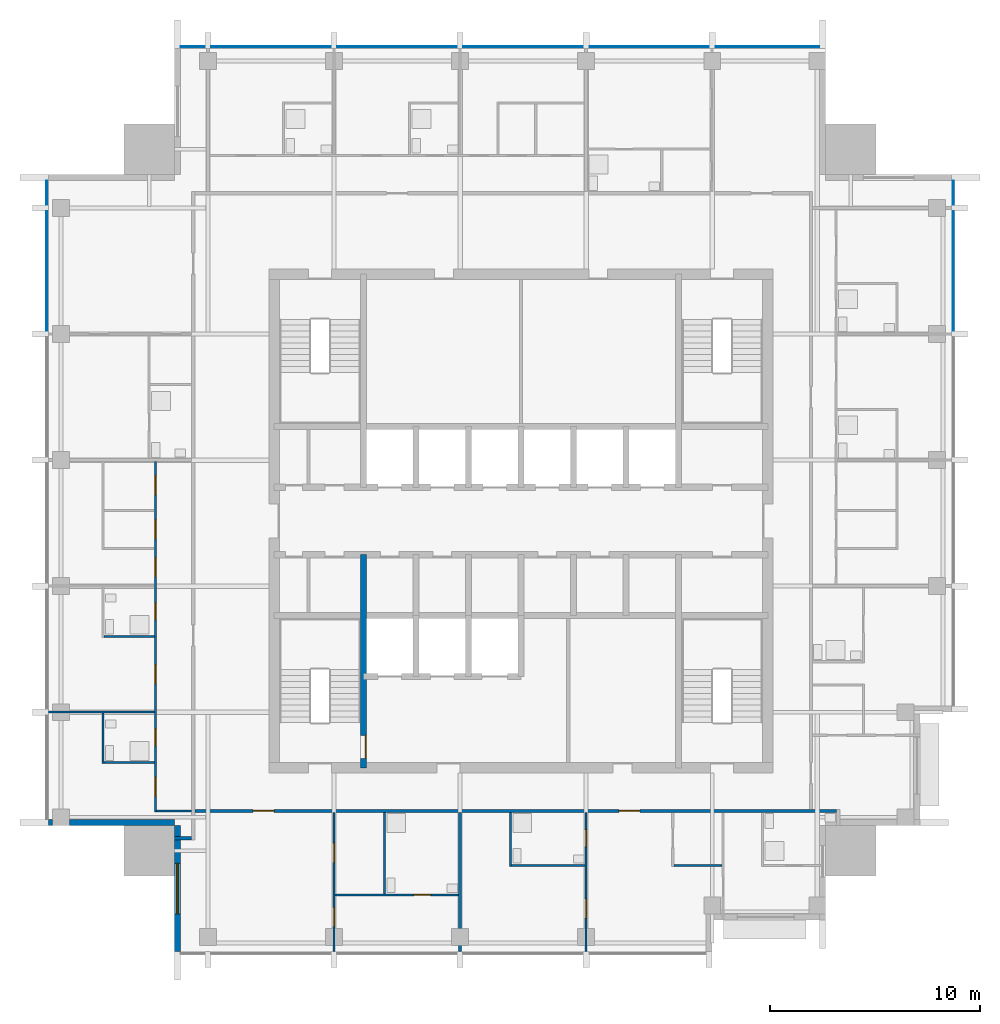
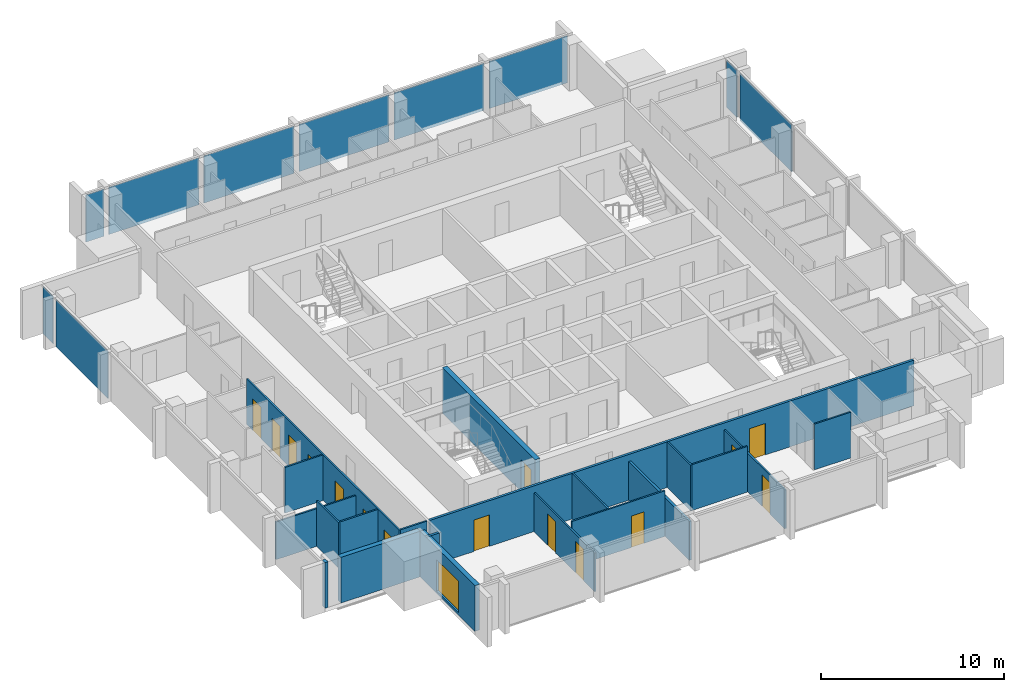
# One storey, part 3 of 10: 20 walls, 15 doors, 10 plates, 1 window, 16 openings, 3 elements without a shape of their own.
"""IFC4 building model written with IfcOpenShell, lengths in metres."""

from ifc_helpers import new_model, si_unit, direction, frame, frame_2d, origin, origin_2d, place, context, subcontext, project, spatial, rectangle, extrude, material, layer, layer_set, type_object, element, fill, aggregate, save


model = new_model("IFC4")

# Units and contexts
model_context = context("Model", 3, precision=1e-05, world=origin(), true_north=direction((0.0, 1.0)))
body_context = subcontext(model_context, "Body", "Model", "MODEL_VIEW")
ifc_project = project(units=[si_unit("LENGTHUNIT", "METRE"), si_unit("AREAUNIT", "SQUARE_METRE"), si_unit("VOLUMEUNIT", "CUBIC_METRE"), si_unit("PLANEANGLEUNIT", "RADIAN"), si_unit("MASSUNIT", "GRAM", prefix="KILO")], contexts=[model_context])

# Site, building, storey
site_placement = place(None, origin())
site = spatial("IfcSite", under=ifc_project, at=site_placement, CompositionType="ELEMENT")
building_placement = place(site_placement, origin())
building = spatial("IfcBuilding", under=site, at=building_placement, Name="Amberfall Residences", CompositionType="ELEMENT")
storey_placement = place(building_placement, frame((0.0, 0.0, 275.199951171875)))
storey = spatial("IfcBuildingStorey", under=building, at=storey_placement, Name="L74", CompositionType="ELEMENT", Elevation=275.199951171875)

# Curtain wall, plates
ifc_material_1 = material(Name="Bronze anodised aluminium and glass", Category="aluminium")
curtain_wall_type = type_object("IfcCurtainWallType", Name="Curtain wall CW1 tower unit", PredefinedType="USERDEFINED", material=ifc_material_1)
curtain_wall_1_placement = place(storey_placement, origin())
curtain_wall_1 = element("IfcCurtainWall", 1, at=curtain_wall_1_placement, inside=storey, type_object=curtain_wall_type, Name="Curtain wall L74 E E3", ObjectType="UNITISED CURTAIN WALL", PredefinedType="USERDEFINED")
ifc_material_2 = material(Name="Tinted double glazed unit", Category="glass")
ifc_layer_1 = layer(ifc_material_2, 0.035888671875)
ifc_layer_set_1 = layer_set([ifc_layer_1], Name="CW1 panel 36 glazing")
plate_type = type_object("IfcPlateType", Name="CW1 panel 36 glazing", PredefinedType="CURTAIN_PANEL", material=ifc_layer_set_1)
plate_1_placement = place(storey_placement, frame((95.074951171875, 57.39990234375, -0.25), z_axis=(0.0, 0.0, 1.0), x_axis=(0.0, 1.0, 0.0)))
plate_1 = element("IfcPlate", 2, at=plate_1_placement, type_object=plate_type, Name="CW1 panel 4.1", PredefinedType="CURTAIN_PANEL", context=body_context, shape_type="SweptSolid", body=[
    extrude(rectangle(XDim=5.676025390625, YDim=0.035888671875, at=origin_2d()), origin(), (0.0, 0.0, 1.0), 3.14990234375),
])
plate_2_placement = place(storey_placement, frame((95.074951171875, 61.125, -0.25), z_axis=(0.0, 0.0, 1.0), x_axis=(0.0, 1.0, 0.0)))
plate_2 = element("IfcPlate", 3, at=plate_2_placement, type_object=plate_type, Name="CW1 panel 5.1", PredefinedType="CURTAIN_PANEL", context=body_context, shape_type="SweptSolid", body=[
    extrude(rectangle(XDim=1.1259765625, YDim=0.035888671875, at=origin_2d()), origin(), (0.0, 0.0, 1.0), 3.14990234375),
])
aggregate(curtain_wall_1, [plate_1, plate_2])

curtain_wall_2_placement = place(storey_placement, origin())
curtain_wall_2 = element("IfcCurtainWall", 4, at=curtain_wall_2_placement, inside=storey, type_object=curtain_wall_type, Name="Curtain wall L74 N N1", ObjectType="UNITISED CURTAIN WALL", PredefinedType="USERDEFINED")
plate_3_placement = place(storey_placement, frame((86.22509765625, 68.074951171875, -0.25), z_axis=(0.0, 0.0, 1.0), x_axis=(-1.0, 0.0, 0.0)))
plate_3 = element("IfcPlate", 5, at=plate_3_placement, type_object=plate_type, Name="CW1 panel 1.1", PredefinedType="CURTAIN_PANEL", context=body_context, shape_type="SweptSolid", body=[
    extrude(rectangle(XDim=4.926025390625, YDim=0.035888671875, at=origin_2d()), origin(), (0.0, 0.0, 1.0), 3.14990234375),
])
plate_4_placement = place(storey_placement, frame((80.60009765625, 68.074951171875, -0.25), z_axis=(0.0, 0.0, 1.0), x_axis=(-1.0, 0.0, 0.0)))
plate_4 = element("IfcPlate", 6, at=plate_4_placement, type_object=plate_type, Name="CW1 panel 2.1", PredefinedType="CURTAIN_PANEL", context=body_context, shape_type="SweptSolid", body=[
    extrude(rectangle(XDim=5.676025390625, YDim=0.035888671875, at=origin_2d()), origin(), (0.0, 0.0, 1.0), 3.14990234375),
])
plate_5_placement = place(storey_placement, frame((74.60009765625, 68.074951171875, -0.25), z_axis=(0.0, 0.0, 1.0), x_axis=(-1.0, 0.0, 0.0)))
plate_5 = element("IfcPlate", 7, at=plate_5_placement, type_object=plate_type, Name="CW1 panel 3.1", PredefinedType="CURTAIN_PANEL", context=body_context, shape_type="SweptSolid", body=[
    extrude(rectangle(XDim=5.676025390625, YDim=0.035888671875, at=origin_2d()), origin(), (0.0, 0.0, 1.0), 3.14990234375),
])
plate_6_placement = place(storey_placement, frame((68.60009765625, 68.074951171875, -0.25), z_axis=(0.0, 0.0, 1.0), x_axis=(-1.0, 0.0, 0.0)))
plate_6 = element("IfcPlate", 8, at=plate_6_placement, type_object=plate_type, Name="CW1 panel 4.1", PredefinedType="CURTAIN_PANEL", context=body_context, shape_type="SweptSolid", body=[
    extrude(rectangle(XDim=5.676025390625, YDim=0.035888671875, at=origin_2d()), origin(), (0.0, 0.0, 1.0), 3.14990234375),
])
plate_7_placement = place(storey_placement, frame((62.60009765625, 68.074951171875, -0.25), z_axis=(0.0, 0.0, 1.0), x_axis=(-1.0, 0.0, 0.0)))
plate_7 = element("IfcPlate", 9, at=plate_7_placement, type_object=plate_type, Name="CW1 panel 5.1", PredefinedType="CURTAIN_PANEL", context=body_context, shape_type="SweptSolid", body=[
    extrude(rectangle(XDim=5.676025390625, YDim=0.035888671875, at=origin_2d()), origin(), (0.0, 0.0, 1.0), 3.14990234375),
])
plate_8_placement = place(storey_placement, frame((58.875, 68.074951171875, -0.25), z_axis=(0.0, 0.0, 1.0), x_axis=(-1.0, 0.0, 0.0)))
plate_8 = element("IfcPlate", 10, at=plate_8_placement, type_object=plate_type, Name="CW1 panel 6.1", PredefinedType="CURTAIN_PANEL", context=body_context, shape_type="SweptSolid", body=[
    extrude(rectangle(XDim=1.1259765625, YDim=0.035888671875, at=origin_2d()), origin(), (0.0, 0.0, 1.0), 3.14990234375),
])
aggregate(curtain_wall_2, [plate_3, plate_4, plate_5, plate_6, plate_7, plate_8])

curtain_wall_3_placement = place(storey_placement, origin())
curtain_wall_3 = element("IfcCurtainWall", 11, at=curtain_wall_3_placement, inside=storey, type_object=curtain_wall_type, Name="Curtain wall L74 W W1", ObjectType="UNITISED CURTAIN WALL", PredefinedType="USERDEFINED")
plate_9_placement = place(storey_placement, frame((51.925048828125, 61.125, -0.25), z_axis=(0.0, 0.0, 1.0), x_axis=(0.0, -1.0, 0.0)))
plate_9 = element("IfcPlate", 12, at=plate_9_placement, type_object=plate_type, Name="CW1 panel 1.1", PredefinedType="CURTAIN_PANEL", context=body_context, shape_type="SweptSolid", body=[
    extrude(rectangle(XDim=1.1259765625, YDim=0.035888671875, at=origin_2d()), origin(), (0.0, 0.0, 1.0), 3.14990234375),
])
plate_10_placement = place(storey_placement, frame((51.925048828125, 57.39990234375, -0.25), z_axis=(0.0, 0.0, 1.0), x_axis=(0.0, -1.0, 0.0)))
plate_10 = element("IfcPlate", 13, at=plate_10_placement, type_object=plate_type, Name="CW1 panel 2.1", PredefinedType="CURTAIN_PANEL", context=body_context, shape_type="SweptSolid", body=[
    extrude(rectangle(XDim=5.676025390625, YDim=0.035888671875, at=origin_2d()), origin(), (0.0, 0.0, 1.0), 3.14990234375),
])
aggregate(curtain_wall_3, [plate_9, plate_10])

# Walls
ifc_material_3 = material(Name="Pale stone cladding on insulated backing", Category="masonry")
ifc_layer_2 = layer(ifc_material_3, 0.300048828125)
ifc_layer_set_2 = layer_set([ifc_layer_2], Name="Bronze clad wall 300")
wall_type_1 = type_object("IfcWallType", Name="Bronze clad wall 300", PredefinedType="SOLIDWALL", material=ifc_layer_set_2)
wall_1_placement = place(storey_placement, frame((52.0, 31.14990234375, 0.0), z_axis=(0.0, 0.0, 1.0), x_axis=(1.0, 0.0, 0.0)))
element("IfcWall", 14, at=wall_1_placement, inside=storey, type_object=wall_type_1, Name="External wall L74 SW", PredefinedType="SOLIDWALL", context=body_context, shape_type="SweptSolid", body=[
    extrude(rectangle(XDim=0.199951171875, YDim=0.300048828125, at=frame_2d((0.10009765625, 0.0))), origin(), (0.0, 0.0, 1.0), 3.050048828125),
])
wall_2_placement = place(storey_placement, frame((53.0, 31.14990234375, 0.0), z_axis=(0.0, 0.0, 1.0), x_axis=(1.0, 0.0, 0.0)))
element("IfcWall", 15, at=wall_2_placement, inside=storey, type_object=wall_type_1, Name="External wall L74 SW", PredefinedType="SOLIDWALL", context=body_context, shape_type="SweptSolid", body=[
    extrude(rectangle(XDim=5.0, YDim=0.300048828125, at=frame_2d((2.5, 0.0))), origin(), (0.0, 0.0, 1.0), 3.050048828125),
])

# Wall, opening, window
wall_3_placement = place(storey_placement, frame((58.14990234375, 31.0, 0.0), z_axis=(0.0, 0.0, 1.0), x_axis=(0.0, -1.0, 0.0)))
wall_3 = element("IfcWall", 16, at=wall_3_placement, inside=storey, type_object=wall_type_1, Name="External wall L74 SW", PredefinedType="SOLIDWALL", context=body_context, shape_type="SweptSolid", body=[
    extrude(rectangle(XDim=6.0, YDim=0.300048828125, at=frame_2d((3.0, 0.0))), origin(), (0.0, 0.0, 1.0), 3.050048828125),
])
opening_1_placement = place(wall_3_placement, frame((1.800048828125, 0.0, 0.14990234375)))
opening_1 = element("IfcOpeningElement", 17, at=opening_1_placement, cuts=wall_3, Name="Opening WN5", PredefinedType="OPENING", context=body_context, shape_type="SweptSolid", body=[
    extrude(rectangle(XDim=2.39990234375, YDim=2.10009765625, at=frame_2d((1.199951171875, 1.050048828125))), frame((0.0, 0.159912109375, 0.0), z_axis=(0.0, -1.0, 0.0), x_axis=(1.0, 0.0, 0.0)), (0.0, 0.0, 1.0), 0.320068359375),
])
ifc_material_4 = material(Name="Bronze aluminium framed glazing", Category="aluminium")
window_type = type_object("IfcWindowType", Name="Glazed opening 2400 x 2100 bronze", PartitioningType="DOUBLE_PANEL_VERTICAL", PredefinedType="WINDOW", material=ifc_material_4)
window_placement = place(opening_1_placement, origin())
window = element("IfcWindow", 18, at=window_placement, inside=storey, type_object=window_type, Name="Window L74 SW", OverallHeight=2.10009765625, OverallWidth=2.39990234375, PartitioningType="DOUBLE_PANEL_VERTICAL", PredefinedType="WINDOW", context=body_context, shape_type="SweptSolid", body=[
    extrude(rectangle(XDim=2.39990234375, YDim=2.10009765625, at=frame_2d((1.199951171875, 1.050048828125))), frame((0.0, 0.030029296875, 0.0), z_axis=(0.0, -1.0, 0.0), x_axis=(1.0, 0.0, 0.0)), (0.0, 0.0, 1.0), 0.06005859375),
])
fill(opening_1, window)

# Wall, opening, door
ifc_material_5 = material(Name="Concrete C50", Category="concrete")
ifc_layer_3 = layer(ifc_material_5, 0.300048828125)
ifc_layer_set_3 = layer_set([ifc_layer_3], Name="Core wall 300 C50")
wall_type_2 = type_object("IfcWallType", Name="Core wall 300 C50", PredefinedType="SHEAR", material=ifc_layer_set_3)
wall_4_placement = place(storey_placement, frame((67.0, 33.75, 0.0), z_axis=(0.0, 0.0, 1.0), x_axis=(0.0, 1.0, 0.0)))
wall_4 = element("IfcWall", 19, at=wall_4_placement, inside=storey, type_object=wall_type_2, Name="Core wall RW10 L74 V45S", PredefinedType="SHEAR", context=body_context, shape_type="SweptSolid", body=[
    extrude(rectangle(XDim=10.14990234375, YDim=0.300048828125, at=frame_2d((5.074951171875, 0.0))), origin(), (0.0, 0.0, 1.0), 3.050048828125),
])
opening_2_placement = place(wall_4_placement, frame((0.449951171875, 0.0, 0.0)))
opening_2 = element("IfcOpeningElement", 20, at=opening_2_placement, cuts=wall_4, Name="Opening FL1", PredefinedType="OPENING", context=body_context, shape_type="SweptSolid", body=[
    extrude(rectangle(XDim=1.10009765625, YDim=2.10009765625, at=frame_2d((0.550048828125, 1.050048828125))), frame((0.0, 0.159912109375, 0.0), z_axis=(0.0, -1.0, 0.0), x_axis=(1.0, 0.0, 0.0)), (0.0, 0.0, 1.0), 0.320068359375),
])
ifc_material_6 = material(Name="Steel fire door set", Category="steel")
door_type_1 = type_object("IfcDoorType", Name="Firefighting lobby door 1100 x 2100", OperationType="SINGLE_SWING_LEFT", PredefinedType="DOOR", material=ifc_material_6)
door_1_placement = place(opening_2_placement, origin())
door_1 = element("IfcDoor", 21, at=door_1_placement, inside=storey, type_object=door_type_1, Name="FL1 L74", OperationType="SINGLE_SWING_RIGHT", OverallHeight=2.10009765625, OverallWidth=1.10009765625, PredefinedType="DOOR", context=body_context, shape_type="SweptSolid", body=[
    extrude(rectangle(XDim=1.10009765625, YDim=2.10009765625, at=frame_2d((0.550048828125, 1.050048828125))), frame((0.0, -0.08740234375, 0.0), z_axis=(0.0, -1.0, 0.0), x_axis=(1.0, 0.0, 0.0)), (0.0, 0.0, 1.0), 0.050048828125),
])
fill(opening_2, door_1)

# Wall
ifc_material_7 = material(Name="Gypsum board on metal stud")
ifc_layer_4 = layer(ifc_material_7, 0.10009765625)
ifc_layer_set_4 = layer_set([ifc_layer_4], Name="Flat partition 100")
wall_type_3 = type_object("IfcWallType", Name="Flat partition 100", PredefinedType="PARTITIONING", material=ifc_layer_set_4)
wall_5_placement = place(storey_placement, frame((54.60009765625, 33.949951171875, 0.0), z_axis=(0.0, 0.0, 1.0), x_axis=(0.0, 1.0, 0.0)))
element("IfcWall", 22, at=wall_5_placement, inside=storey, type_object=wall_type_3, Name="Partition 001", PredefinedType="PARTITIONING", context=body_context, shape_type="SweptSolid", body=[
    extrude(rectangle(XDim=2.400146484375, YDim=0.10009765625, at=frame_2d((1.2001953125, 0.0))), origin(), (0.0, 0.0, 1.0), 3.050048828125),
])

# Wall, openings, doors
wall_6_placement = place(storey_placement, frame((57.10009765625, 31.64990234375, 0.0), z_axis=(0.0, 0.0, 1.0), x_axis=(0.0, 1.0, 0.0)))
wall_6 = element("IfcWall", 23, at=wall_6_placement, inside=storey, type_object=wall_type_3, Name="Partition 005", PredefinedType="PARTITIONING", context=body_context, shape_type="SweptSolid", body=[
    extrude(rectangle(XDim=16.675048828125, YDim=0.10009765625, at=frame_2d((8.33740234375, 0.0))), origin(), (0.0, 0.0, 1.0), 3.050048828125),
])
opening_3_placement = place(wall_6_placement, frame((11.199951171875, 0.0, 0.0)))
opening_3 = element("IfcOpeningElement", 24, at=opening_3_placement, cuts=wall_6, Name="Opening D41", PredefinedType="OPENING", context=body_context, shape_type="SweptSolid", body=[
    extrude(rectangle(XDim=0.89990234375, YDim=2.10009765625, at=frame_2d((0.449951171875, 1.050048828125))), frame((0.0, 0.06005859375, 0.0), z_axis=(0.0, -1.0, 0.0), x_axis=(1.0, 0.0, 0.0)), (0.0, 0.0, 1.0), 0.1201171875),
])
opening_4_placement = place(wall_6_placement, frame((15.10009765625, 0.0, 0.0)))
opening_4 = element("IfcOpeningElement", 25, at=opening_4_placement, cuts=wall_6, Name="Opening D41", PredefinedType="OPENING", context=body_context, shape_type="SweptSolid", body=[
    extrude(rectangle(XDim=0.89990234375, YDim=2.10009765625, at=frame_2d((0.449951171875, 1.050048828125))), frame((0.0, 0.06005859375, 0.0), z_axis=(0.0, -1.0, 0.0), x_axis=(1.0, 0.0, 0.0)), (0.0, 0.0, 1.0), 0.1201171875),
])
opening_5_placement = place(wall_6_placement, frame((13.0, 0.0, 0.0)))
opening_5 = element("IfcOpeningElement", 26, at=opening_5_placement, cuts=wall_6, Name="Opening D41", PredefinedType="OPENING", context=body_context, shape_type="SweptSolid", body=[
    extrude(rectangle(XDim=0.89990234375, YDim=2.10009765625, at=frame_2d((0.449951171875, 1.050048828125))), frame((0.0, 0.06005859375, 0.0), z_axis=(0.0, -1.0, 0.0), x_axis=(1.0, 0.0, 0.0)), (0.0, 0.0, 1.0), 0.1201171875),
])
opening_6_placement = place(wall_6_placement, frame((0.75, 0.0, 0.0)))
opening_6 = element("IfcOpeningElement", 27, at=opening_6_placement, cuts=wall_6, Name="Opening D41", PredefinedType="OPENING", context=body_context, shape_type="SweptSolid", body=[
    extrude(rectangle(XDim=0.89990234375, YDim=2.10009765625, at=frame_2d((0.449951171875, 1.050048828125))), frame((0.0, 0.06005859375, 0.0), z_axis=(0.0, -1.0, 0.0), x_axis=(1.0, 0.0, 0.0)), (0.0, 0.0, 1.0), 0.1201171875),
])
opening_7_placement = place(wall_6_placement, frame((6.10009765625, 0.0, 0.0)))
opening_7 = element("IfcOpeningElement", 28, at=opening_7_placement, cuts=wall_6, Name="Opening D41", PredefinedType="OPENING", context=body_context, shape_type="SweptSolid", body=[
    extrude(rectangle(XDim=0.89990234375, YDim=2.10009765625, at=frame_2d((0.449951171875, 1.050048828125))), frame((0.0, 0.06005859375, 0.0), z_axis=(0.0, -1.0, 0.0), x_axis=(1.0, 0.0, 0.0)), (0.0, 0.0, 1.0), 0.1201171875),
])
opening_8_placement = place(wall_6_placement, frame((3.14990234375, 0.0, 0.0)))
opening_8 = element("IfcOpeningElement", 29, at=opening_8_placement, cuts=wall_6, Name="Opening D42", PredefinedType="OPENING", context=body_context, shape_type="SweptSolid", body=[
    extrude(rectangle(XDim=0.800048828125, YDim=2.10009765625, at=frame_2d((0.39990234375, 1.050048828125))), frame((0.0, 0.06005859375, 0.0), z_axis=(0.0, -1.0, 0.0), x_axis=(1.0, 0.0, 0.0)), (0.0, 0.0, 1.0), 0.1201171875),
])
opening_9_placement = place(wall_6_placement, frame((9.14990234375, 0.0, 0.0)))
opening_9 = element("IfcOpeningElement", 30, at=opening_9_placement, cuts=wall_6, Name="Opening D42", PredefinedType="OPENING", context=body_context, shape_type="SweptSolid", body=[
    extrude(rectangle(XDim=0.800048828125, YDim=2.10009765625, at=frame_2d((0.39990234375, 1.050048828125))), frame((0.0, 0.06005859375, 0.0), z_axis=(0.0, -1.0, 0.0), x_axis=(1.0, 0.0, 0.0)), (0.0, 0.0, 1.0), 0.1201171875),
])
ifc_material_8 = material(Name="Timber", Category="wood")
door_type_2 = type_object("IfcDoorType", Name="Bathroom door 800 x 2100", OperationType="SINGLE_SWING_LEFT", PredefinedType="DOOR", material=ifc_material_8)
door_2_placement = place(opening_8_placement, origin())
door_2 = element("IfcDoor", 31, at=door_2_placement, inside=storey, type_object=door_type_2, Name="Door 7407 bath1", OperationType="SINGLE_SWING_LEFT", OverallHeight=2.10009765625, OverallWidth=0.800048828125, PredefinedType="DOOR", context=body_context, shape_type="SweptSolid", body=[
    extrude(rectangle(XDim=0.800048828125, YDim=2.10009765625, at=frame_2d((0.39990234375, 1.050048828125))), frame((0.0, 0.02490234375, 0.0), z_axis=(0.0, -1.0, 0.0), x_axis=(1.0, 0.0, 0.0)), (0.0, 0.0, 1.0), 0.050048828125),
])
fill(opening_8, door_2)
door_3_placement = place(opening_9_placement, origin())
door_3 = element("IfcDoor", 32, at=door_3_placement, inside=storey, type_object=door_type_2, Name="Door 7407 bath2", OperationType="SINGLE_SWING_LEFT", OverallHeight=2.10009765625, OverallWidth=0.800048828125, PredefinedType="DOOR", context=body_context, shape_type="SweptSolid", body=[
    extrude(rectangle(XDim=0.800048828125, YDim=2.10009765625, at=frame_2d((0.39990234375, 1.050048828125))), frame((0.0, 0.02490234375, 0.0), z_axis=(0.0, -1.0, 0.0), x_axis=(1.0, 0.0, 0.0)), (0.0, 0.0, 1.0), 0.050048828125),
])
fill(opening_9, door_3)
door_type_3 = type_object("IfcDoorType", Name="Internal door 900 x 2100", OperationType="SINGLE_SWING_LEFT", PredefinedType="DOOR", material=ifc_material_8)
door_4_placement = place(opening_3_placement, origin())
door_4 = element("IfcDoor", 33, at=door_4_placement, inside=storey, type_object=door_type_3, Name="Door 7407 living", OperationType="SINGLE_SWING_LEFT", OverallHeight=2.10009765625, OverallWidth=0.89990234375, PredefinedType="DOOR", context=body_context, shape_type="SweptSolid", body=[
    extrude(rectangle(XDim=0.89990234375, YDim=2.10009765625, at=frame_2d((0.449951171875, 1.050048828125))), frame((0.0, 0.02490234375, 0.0), z_axis=(0.0, -1.0, 0.0), x_axis=(1.0, 0.0, 0.0)), (0.0, 0.0, 1.0), 0.050048828125),
])
fill(opening_3, door_4)
door_5_placement = place(opening_4_placement, origin())
door_5 = element("IfcDoor", 34, at=door_5_placement, inside=storey, type_object=door_type_3, Name="Door 7407 kitchen", OperationType="SINGLE_SWING_LEFT", OverallHeight=2.10009765625, OverallWidth=0.89990234375, PredefinedType="DOOR", context=body_context, shape_type="SweptSolid", body=[
    extrude(rectangle(XDim=0.89990234375, YDim=2.10009765625, at=frame_2d((0.449951171875, 1.050048828125))), frame((0.0, 0.02490234375, 0.0), z_axis=(0.0, -1.0, 0.0), x_axis=(1.0, 0.0, 0.0)), (0.0, 0.0, 1.0), 0.050048828125),
])
fill(opening_4, door_5)
door_6_placement = place(opening_5_placement, origin())
door_6 = element("IfcDoor", 35, at=door_6_placement, inside=storey, type_object=door_type_3, Name="Door 7407 utility", OperationType="SINGLE_SWING_LEFT", OverallHeight=2.10009765625, OverallWidth=0.89990234375, PredefinedType="DOOR", context=body_context, shape_type="SweptSolid", body=[
    extrude(rectangle(XDim=0.89990234375, YDim=2.10009765625, at=frame_2d((0.449951171875, 1.050048828125))), frame((0.0, 0.02490234375, 0.0), z_axis=(0.0, -1.0, 0.0), x_axis=(1.0, 0.0, 0.0)), (0.0, 0.0, 1.0), 0.050048828125),
])
fill(opening_5, door_6)
door_7_placement = place(opening_6_placement, origin())
door_7 = element("IfcDoor", 36, at=door_7_placement, inside=storey, type_object=door_type_3, Name="Door 7407 bedroom1", OperationType="SINGLE_SWING_LEFT", OverallHeight=2.10009765625, OverallWidth=0.89990234375, PredefinedType="DOOR", context=body_context, shape_type="SweptSolid", body=[
    extrude(rectangle(XDim=0.89990234375, YDim=2.10009765625, at=frame_2d((0.449951171875, 1.050048828125))), frame((0.0, 0.02490234375, 0.0), z_axis=(0.0, -1.0, 0.0), x_axis=(1.0, 0.0, 0.0)), (0.0, 0.0, 1.0), 0.050048828125),
])
fill(opening_6, door_7)
door_8_placement = place(opening_7_placement, origin())
door_8 = element("IfcDoor", 37, at=door_8_placement, inside=storey, type_object=door_type_3, Name="Door 7407 bedroom2", OperationType="SINGLE_SWING_LEFT", OverallHeight=2.10009765625, OverallWidth=0.89990234375, PredefinedType="DOOR", context=body_context, shape_type="SweptSolid", body=[
    extrude(rectangle(XDim=0.89990234375, YDim=2.10009765625, at=frame_2d((0.449951171875, 1.050048828125))), frame((0.0, 0.02490234375, 0.0), z_axis=(0.0, -1.0, 0.0), x_axis=(1.0, 0.0, 0.0)), (0.0, 0.0, 1.0), 0.050048828125),
])
fill(opening_7, door_8)

wall_7_placement = place(storey_placement, frame((65.60009765625, 31.625, 0.0), z_axis=(0.0, 0.0, 1.0), x_axis=(0.0, -1.0, 0.0)))
wall_7 = element("IfcWall", 38, at=wall_7_placement, inside=storey, type_object=wall_type_3, Name="Partition 007", PredefinedType="PARTITIONING", context=body_context, shape_type="SweptSolid", body=[
    extrude(rectangle(XDim=6.625, YDim=0.10009765625, at=frame_2d((3.3125, 0.0))), origin(), (0.0, 0.0, 1.0), 2.589111328125),
])
opening_10_placement = place(wall_7_placement, frame((1.47509765625, 0.0, 0.0)))
opening_10 = element("IfcOpeningElement", 39, at=opening_10_placement, cuts=wall_7, Name="Opening D41", PredefinedType="OPENING", context=body_context, shape_type="SweptSolid", body=[
    extrude(rectangle(XDim=0.89990234375, YDim=2.10009765625, at=frame_2d((0.449951171875, 1.050048828125))), frame((0.0, 0.06005859375, 0.0), z_axis=(0.0, -1.0, 0.0), x_axis=(1.0, 0.0, 0.0)), (0.0, 0.0, 1.0), 0.1201171875),
])
opening_11_placement = place(wall_7_placement, frame((4.52490234375, 0.0, 0.0)))
opening_11 = element("IfcOpeningElement", 40, at=opening_11_placement, cuts=wall_7, Name="Opening D41", PredefinedType="OPENING", context=body_context, shape_type="SweptSolid", body=[
    extrude(rectangle(XDim=0.89990234375, YDim=2.10009765625, at=frame_2d((0.449951171875, 1.050048828125))), frame((0.0, 0.06005859375, 0.0), z_axis=(0.0, -1.0, 0.0), x_axis=(1.0, 0.0, 0.0)), (0.0, 0.0, 1.0), 0.1201171875),
])
door_9_placement = place(opening_10_placement, origin())
door_9 = element("IfcDoor", 41, at=door_9_placement, inside=storey, type_object=door_type_3, Name="Door 7401 kitchen", OperationType="SINGLE_SWING_LEFT", OverallHeight=2.10009765625, OverallWidth=0.89990234375, PredefinedType="DOOR", context=body_context, shape_type="SweptSolid", body=[
    extrude(rectangle(XDim=0.89990234375, YDim=2.10009765625, at=frame_2d((0.449951171875, 1.050048828125))), frame((0.0, 0.02490234375, 0.0), z_axis=(0.0, -1.0, 0.0), x_axis=(1.0, 0.0, 0.0)), (0.0, 0.0, 1.0), 0.050048828125),
])
fill(opening_10, door_9)
door_10_placement = place(opening_11_placement, origin())
door_10 = element("IfcDoor", 42, at=door_10_placement, inside=storey, type_object=door_type_3, Name="Door 7401 bedroom1", OperationType="SINGLE_SWING_LEFT", OverallHeight=2.10009765625, OverallWidth=0.89990234375, PredefinedType="DOOR", context=body_context, shape_type="SweptSolid", body=[
    extrude(rectangle(XDim=0.89990234375, YDim=2.10009765625, at=frame_2d((0.449951171875, 1.050048828125))), frame((0.0, 0.02490234375, 0.0), z_axis=(0.0, -1.0, 0.0), x_axis=(1.0, 0.0, 0.0)), (0.0, 0.0, 1.0), 0.050048828125),
])
fill(opening_11, door_10)

# Walls
wall_8_placement = place(storey_placement, frame((68.0, 27.75, 0.0), z_axis=(0.0, 0.0, 1.0), x_axis=(0.0, 1.0, 0.0)))
element("IfcWall", 43, at=wall_8_placement, inside=storey, type_object=wall_type_3, Name="Partition 009", PredefinedType="PARTITIONING", context=body_context, shape_type="SweptSolid", body=[
    extrude(rectangle(XDim=3.875, YDim=0.10009765625, at=frame_2d((1.9375, 0.0))), origin(), (0.0, 0.0, 1.0), 3.050048828125),
])
wall_9_placement = place(storey_placement, frame((74.0, 29.050048828125, 0.0), z_axis=(0.0, 0.0, 1.0), x_axis=(0.0, 1.0, 0.0)))
element("IfcWall", 44, at=wall_9_placement, inside=storey, type_object=wall_type_3, Name="Partition 013", PredefinedType="PARTITIONING", context=body_context, shape_type="SweptSolid", body=[
    extrude(rectangle(XDim=2.574951171875, YDim=0.10009765625, at=frame_2d((1.28759765625, 0.0))), origin(), (0.0, 0.0, 1.0), 3.050048828125),
])

# Wall, openings, doors
wall_10_placement = place(storey_placement, frame((77.60009765625, 25.0, 0.0), z_axis=(0.0, 0.0, 1.0), x_axis=(0.0, 1.0, 0.0)))
wall_10 = element("IfcWall", 45, at=wall_10_placement, inside=storey, type_object=wall_type_3, Name="Partition 015", PredefinedType="PARTITIONING", context=body_context, shape_type="SweptSolid", body=[
    extrude(rectangle(XDim=6.625, YDim=0.10009765625, at=frame_2d((3.3125, 0.0))), origin(), (0.0, 0.0, 1.0), 2.589111328125),
])
opening_12_placement = place(wall_10_placement, frame((1.60009765625, 0.0, 0.0)))
opening_12 = element("IfcOpeningElement", 46, at=opening_12_placement, cuts=wall_10, Name="Opening D41", PredefinedType="OPENING", context=body_context, shape_type="SweptSolid", body=[
    extrude(rectangle(XDim=0.89990234375, YDim=2.10009765625, at=frame_2d((0.449951171875, 1.050048828125))), frame((0.0, 0.06005859375, 0.0), z_axis=(0.0, -1.0, 0.0), x_axis=(1.0, 0.0, 0.0)), (0.0, 0.0, 1.0), 0.1201171875),
])
opening_13_placement = place(wall_10_placement, frame((5.0, 0.0, 0.0)))
opening_13 = element("IfcOpeningElement", 47, at=opening_13_placement, cuts=wall_10, Name="Opening D42", PredefinedType="OPENING", context=body_context, shape_type="SweptSolid", body=[
    extrude(rectangle(XDim=0.800048828125, YDim=2.10009765625, at=frame_2d((0.39990234375, 1.050048828125))), frame((0.0, 0.06005859375, 0.0), z_axis=(0.0, -1.0, 0.0), x_axis=(1.0, 0.0, 0.0)), (0.0, 0.0, 1.0), 0.1201171875),
])
door_11_placement = place(opening_13_placement, origin())
door_11 = element("IfcDoor", 48, at=door_11_placement, inside=storey, type_object=door_type_2, Name="Door 7402 bath1", OperationType="SINGLE_SWING_LEFT", OverallHeight=2.10009765625, OverallWidth=0.800048828125, PredefinedType="DOOR", context=body_context, shape_type="SweptSolid", body=[
    extrude(rectangle(XDim=0.800048828125, YDim=2.10009765625, at=frame_2d((0.39990234375, 1.050048828125))), frame((0.0, 0.02490234375, 0.0), z_axis=(0.0, -1.0, 0.0), x_axis=(1.0, 0.0, 0.0)), (0.0, 0.0, 1.0), 0.050048828125),
])
fill(opening_13, door_11)
door_12_placement = place(opening_12_placement, origin())
door_12 = element("IfcDoor", 49, at=door_12_placement, inside=storey, type_object=door_type_3, Name="Door 7402 bedroom1", OperationType="SINGLE_SWING_LEFT", OverallHeight=2.10009765625, OverallWidth=0.89990234375, PredefinedType="DOOR", context=body_context, shape_type="SweptSolid", body=[
    extrude(rectangle(XDim=0.89990234375, YDim=2.10009765625, at=frame_2d((0.449951171875, 1.050048828125))), frame((0.0, 0.02490234375, 0.0), z_axis=(0.0, -1.0, 0.0), x_axis=(1.0, 0.0, 0.0)), (0.0, 0.0, 1.0), 0.050048828125),
])
fill(opening_12, door_12)

# Walls
wall_11_placement = place(storey_placement, frame((54.64990234375, 40.0, 0.0), z_axis=(0.0, 0.0, 1.0), x_axis=(1.0, 0.0, 0.0)))
element("IfcWall", 50, at=wall_11_placement, inside=storey, type_object=wall_type_3, Name="Partition 042", PredefinedType="PARTITIONING", context=body_context, shape_type="SweptSolid", body=[
    extrude(rectangle(XDim=2.400146484375, YDim=0.10009765625, at=frame_2d((1.2001953125, 0.0))), origin(), (0.0, 0.0, 1.0), 3.050048828125),
])
wall_12_placement = place(storey_placement, frame((52.0, 36.39990234375, 0.0), z_axis=(0.0, 0.0, 1.0), x_axis=(1.0, 0.0, 0.0)))
element("IfcWall", 51, at=wall_12_placement, inside=storey, type_object=wall_type_3, Name="Partition 045", PredefinedType="PARTITIONING", context=body_context, shape_type="SweptSolid", body=[
    extrude(rectangle(XDim=5.050048828125, YDim=0.10009765625, at=frame_2d((2.52490234375, 0.0))), origin(), (0.0, 0.0, 1.0), 2.51611328125),
])
wall_13_placement = place(storey_placement, frame((54.64990234375, 34.0, 0.0), z_axis=(0.0, 0.0, 1.0), x_axis=(1.0, 0.0, 0.0)))
element("IfcWall", 52, at=wall_13_placement, inside=storey, type_object=wall_type_3, Name="Partition 047", PredefinedType="PARTITIONING", context=body_context, shape_type="SweptSolid", body=[
    extrude(rectangle(XDim=2.400146484375, YDim=0.10009765625, at=frame_2d((1.2001953125, 0.0))), origin(), (0.0, 0.0, 1.0), 3.050048828125),
])
wall_14_placement = place(storey_placement, frame((57.14990234375, 31.699951171875, 0.0), z_axis=(0.0, 0.0, 1.0), x_axis=(1.0, 0.0, 0.0)))
element("IfcWall", 53, at=wall_14_placement, inside=storey, type_object=wall_type_3, Name="Partition 048", PredefinedType="PARTITIONING", context=body_context, shape_type="SweptSolid", body=[
    extrude(rectangle(XDim=1.675048828125, YDim=0.10009765625, at=frame_2d((0.83740234375, 0.0))), origin(), (0.0, 0.0, 1.0), 3.050048828125),
])
wall_15_placement = place(storey_placement, frame((74.050048828125, 29.10009765625, 0.0), z_axis=(0.0, 0.0, 1.0), x_axis=(1.0, 0.0, 0.0)))
element("IfcWall", 54, at=wall_15_placement, inside=storey, type_object=wall_type_3, Name="Partition 049", PredefinedType="PARTITIONING", context=body_context, shape_type="SweptSolid", body=[
    extrude(rectangle(XDim=3.5, YDim=0.10009765625, at=frame_2d((1.75, 0.0))), origin(), (0.0, 0.0, 1.0), 3.050048828125),
])
wall_16_placement = place(storey_placement, frame((81.77490234375, 29.10009765625, 0.0), z_axis=(0.0, 0.0, 1.0), x_axis=(1.0, 0.0, 0.0)))
element("IfcWall", 55, at=wall_16_placement, inside=storey, type_object=wall_type_3, Name="Partition 050", PredefinedType="PARTITIONING", context=body_context, shape_type="SweptSolid", body=[
    extrude(rectangle(XDim=2.300048828125, YDim=0.10009765625, at=frame_2d((1.14990234375, 0.0))), origin(), (0.0, 0.0, 1.0), 3.050048828125),
])

# Wall, opening, door
wall_17_placement = place(storey_placement, frame((65.64990234375, 27.699951171875, 0.0), z_axis=(0.0, 0.0, 1.0), x_axis=(1.0, 0.0, 0.0)))
wall_17 = element("IfcWall", 56, at=wall_17_placement, inside=storey, type_object=wall_type_3, Name="Partition 052", PredefinedType="PARTITIONING", context=body_context, shape_type="SweptSolid", body=[
    extrude(rectangle(XDim=5.875, YDim=0.10009765625, at=frame_2d((2.9375, 0.0))), origin(), (0.0, 0.0, 1.0), 3.050048828125),
])
opening_14_placement = place(wall_17_placement, frame((3.75, 0.0, 0.0)))
opening_14 = element("IfcOpeningElement", 57, at=opening_14_placement, cuts=wall_17, Name="Opening D42", PredefinedType="OPENING", context=body_context, shape_type="SweptSolid", body=[
    extrude(rectangle(XDim=0.800048828125, YDim=2.10009765625, at=frame_2d((0.39990234375, 1.050048828125))), frame((0.0, 0.06005859375, 0.0), z_axis=(0.0, -1.0, 0.0), x_axis=(1.0, 0.0, 0.0)), (0.0, 0.0, 1.0), 0.1201171875),
])
door_13_placement = place(opening_14_placement, origin())
door_13 = element("IfcDoor", 58, at=door_13_placement, inside=storey, type_object=door_type_2, Name="Door 7401 bath1", OperationType="SINGLE_SWING_LEFT", OverallHeight=2.10009765625, OverallWidth=0.800048828125, PredefinedType="DOOR", context=body_context, shape_type="SweptSolid", body=[
    extrude(rectangle(XDim=0.800048828125, YDim=2.10009765625, at=frame_2d((0.39990234375, 1.050048828125))), frame((0.0, 0.02490234375, 0.0), z_axis=(0.0, -1.0, 0.0), x_axis=(1.0, 0.0, 0.0)), (0.0, 0.0, 1.0), 0.050048828125),
])
fill(opening_14, door_13)

# Wall
ifc_material_9 = material(Name="Blockwork, plastered", Category="masonry")
ifc_layer_5 = layer(ifc_material_9, 0.14990234375)
ifc_layer_set_5 = layer_set([ifc_layer_5], Name="Flat separating wall 150")
wall_type_4 = type_object("IfcWallType", Name="Flat separating wall 150", PredefinedType="PARTITIONING", material=ifc_layer_set_5)
wall_18_placement = place(storey_placement, frame((71.60009765625, 25.0, 0.0), z_axis=(0.0, 0.0, 1.0), x_axis=(0.0, 1.0, 0.0)))
element("IfcWall", 59, at=wall_18_placement, inside=storey, type_object=wall_type_4, Name="Separating wall 055", PredefinedType="PARTITIONING", context=body_context, shape_type="SweptSolid", body=[
    extrude(rectangle(XDim=6.625, YDim=0.14990234375, at=frame_2d((3.3125, 0.0))), origin(), (0.0, 0.0, 1.0), 2.589111328125),
])

# Wall, openings, doors
wall_19_placement = place(storey_placement, frame((89.52490234375, 31.699951171875, 0.0), z_axis=(0.0, 0.0, 1.0), x_axis=(-1.0, 0.0, 0.0)))
wall_19 = element("IfcWall", 60, at=wall_19_placement, inside=storey, type_object=wall_type_4, Name="Separating wall 063", PredefinedType="PARTITIONING", context=body_context, shape_type="SweptSolid", body=[
    extrude(rectangle(XDim=30.5498046875, YDim=0.14990234375, at=frame_2d((15.27490234375, 0.0))), origin(), (0.0, 0.0, 1.0), 3.050048828125),
])
opening_15_placement = place(wall_19_placement, frame((26.77490234375, 0.0, 0.0)))
opening_15 = element("IfcOpeningElement", 61, at=opening_15_placement, cuts=wall_19, Name="Opening D40", PredefinedType="OPENING", context=body_context, shape_type="SweptSolid", body=[
    extrude(rectangle(XDim=1.0, YDim=2.10009765625, at=frame_2d((0.5, 1.050048828125))), frame((0.0, 0.0849609375, 0.0), z_axis=(0.0, -1.0, 0.0), x_axis=(1.0, 0.0, 0.0)), (0.0, 0.0, 1.0), 0.169921875),
])
opening_16_placement = place(wall_19_placement, frame((9.362548828125, 0.0, 0.0)))
opening_16 = element("IfcOpeningElement", 62, at=opening_16_placement, cuts=wall_19, Name="Opening D40", PredefinedType="OPENING", context=body_context, shape_type="SweptSolid", body=[
    extrude(rectangle(XDim=1.0, YDim=2.10009765625, at=frame_2d((0.5, 1.050048828125))), frame((0.0, 0.0849609375, 0.0), z_axis=(0.0, -1.0, 0.0), x_axis=(1.0, 0.0, 0.0)), (0.0, 0.0, 1.0), 0.169921875),
])
ifc_material_10 = material(Name="Timber, fire-rated", Category="wood")
door_type_4 = type_object("IfcDoorType", Name="Flat entrance door FD60 1000 x 2100", OperationType="SINGLE_SWING_LEFT", PredefinedType="DOOR", material=ifc_material_10)
door_14_placement = place(opening_15_placement, origin())
door_14 = element("IfcDoor", 63, at=door_14_placement, inside=storey, type_object=door_type_4, Name="Door 7401 entrance", OperationType="SINGLE_SWING_LEFT", OverallHeight=2.10009765625, OverallWidth=1.0, PredefinedType="DOOR", context=body_context, shape_type="SweptSolid", body=[
    extrude(rectangle(XDim=1.0, YDim=2.10009765625, at=frame_2d((0.5, 1.050048828125))), frame((0.0, 0.02490234375, 0.0), z_axis=(0.0, -1.0, 0.0), x_axis=(1.0, 0.0, 0.0)), (0.0, 0.0, 1.0), 0.050048828125),
])
fill(opening_15, door_14)
door_15_placement = place(opening_16_placement, origin())
door_15 = element("IfcDoor", 64, at=door_15_placement, inside=storey, type_object=door_type_4, Name="Door 7402 entrance", OperationType="SINGLE_SWING_LEFT", OverallHeight=2.10009765625, OverallWidth=1.0, PredefinedType="DOOR", context=body_context, shape_type="SweptSolid", body=[
    extrude(rectangle(XDim=1.0, YDim=2.10009765625, at=frame_2d((0.5, 1.050048828125))), frame((0.0, 0.02490234375, 0.0), z_axis=(0.0, -1.0, 0.0), x_axis=(1.0, 0.0, 0.0)), (0.0, 0.0, 1.0), 0.050048828125),
])
fill(opening_16, door_15)

# Wall
wall_20_placement = place(storey_placement, frame((58.0, 30.39990234375, 0.0), z_axis=(0.0, 0.0, 1.0), x_axis=(1.0, 0.0, 0.0)))
element("IfcWall", 65, at=wall_20_placement, inside=storey, type_object=wall_type_4, Name="Separating wall 064", PredefinedType="PARTITIONING", context=body_context, shape_type="SweptSolid", body=[
    extrude(rectangle(XDim=0.824951171875, YDim=0.14990234375, at=frame_2d((0.41259765625, 0.0))), origin(), (0.0, 0.0, 1.0), 3.050048828125),
])

save(model, "model.ifc")
